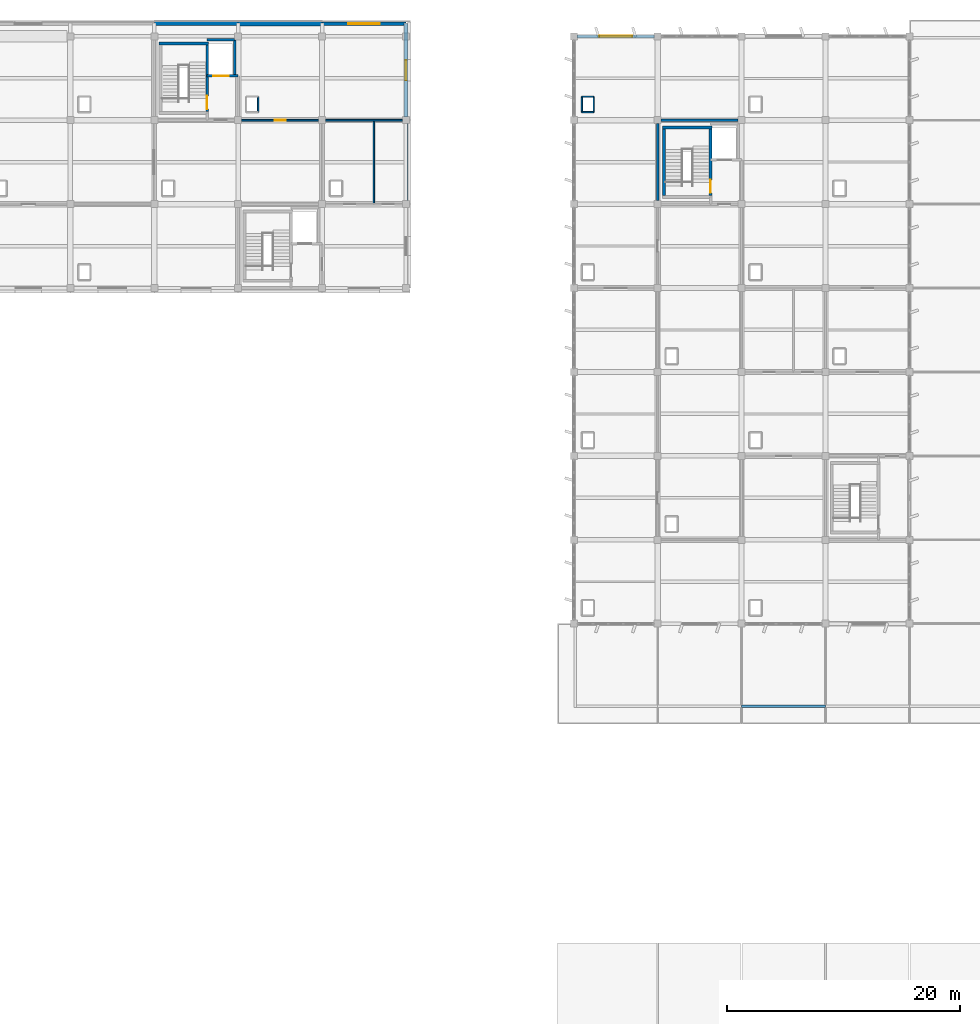
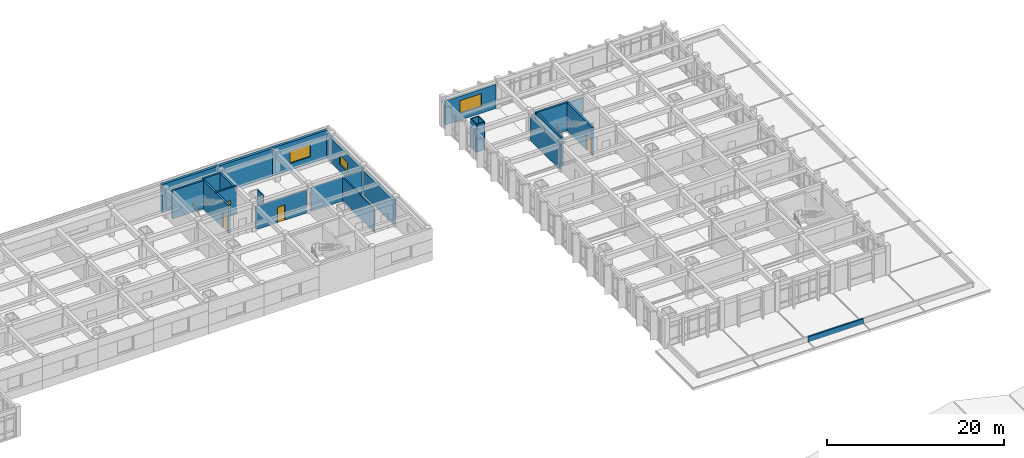
# One storey, part 55 of 62: 25 walls, 4 doors, 3 windows, 7 openings.
"""IFC4 building model written with IfcOpenShell, lengths in metres."""

import ifcopenshell
import ifcopenshell.guid

model = None  # the IFC model being written
_history = None  # IfcOwnerHistory: only IFC2X3 demands one
_inside = {}  # id of a spatial element -> (the spatial element, [elements in it])
_under = {}  # id of a project, library or spatial element -> (it, [spatial elements below it])
_declared = {}  # id of a project -> (the project, [libraries it declares])
_typed = {}  # id of a type object -> (the type object, [elements of that type])
_made_of = {}  # id of a material, layer set ... -> (it, [elements and type objects made of it])


def new_model(schema):
    """Start an empty IFC model of exactly this schema.

    Asked for "IFC4X3", IfcOpenShell would pick the latest addendum, in which some entities
    have other attributes; the version numbers below select the first issue.
    IFC2X3 requires an IfcOwnerHistory on every rooted entity: one is made here for all.
    """
    global model, _history
    if schema == "IFC4X3":
        model = ifcopenshell.file(schema_version=(4, 3, 0, 0))
    else:
        model = ifcopenshell.file(schema=schema)
    _inside.clear()
    _under.clear()
    _declared.clear()
    _typed.clear()
    _made_of.clear()
    _history = None
    if model.schema == "IFC2X3":
        org = make("IfcOrganization", Name="unknown")
        user = make(
            "IfcPersonAndOrganization",
            ThePerson=make("IfcPerson", FamilyName="unknown"),
            TheOrganization=org,
        )
        app = make(
            "IfcApplication",
            ApplicationDeveloper=org,
            Version="unknown",
            ApplicationFullName="unknown",
            ApplicationIdentifier="unknown",
        )
        _history = make(
            "IfcOwnerHistory",
            OwningUser=user,
            OwningApplication=app,
            ChangeAction="ADDED",
            CreationDate=0,
        )
    return model


def make(cls, **values):
    """One entity of the class cls with the attributes given. An attribute that is None is left unset."""
    return model.create_entity(
        cls, **{name: value for name, value in values.items() if value is not None}
    )


def rooted(cls, **values):
    """An entity with a GlobalId (a new one), such as an element, a storey or a relation."""
    return make(cls, GlobalId=ifcopenshell.guid.new(), OwnerHistory=_history, **values)


def si_unit(unit_type, name, prefix=None):
    """IfcSIUnit, for example si_unit("LENGTHUNIT", "METRE", prefix="MILLI")."""
    return make("IfcSIUnit", UnitType=unit_type, Prefix=prefix, Name=name)


def assignment(units):
    """IfcUnitAssignment: the units of a project."""
    return None if units is None else make("IfcUnitAssignment", Units=units)


def point(xyz):
    """IfcCartesianPoint."""
    return None if xyz is None else make("IfcCartesianPoint", Coordinates=xyz)


def direction(xyz):
    """IfcDirection."""
    return None if xyz is None else make("IfcDirection", DirectionRatios=xyz)


def frame(location, z_axis=None, x_axis=None):
    """IfcAxis2Placement3D, a coordinate frame: its origin and axes. An axis left out is left unset."""
    return make(
        "IfcAxis2Placement3D",
        Location=point(location),
        Axis=direction(z_axis),
        RefDirection=direction(x_axis),
    )


def frame_2d(location, x_axis=None):
    """IfcAxis2Placement2D, a coordinate frame in the plane: its origin and x axis."""
    return make(
        "IfcAxis2Placement2D", Location=point(location), RefDirection=direction(x_axis)
    )


def origin():
    """The frame at (0, 0, 0) with its axes left unset."""
    return frame((0.0, 0.0, 0.0))


def place(relative_to, where):
    """IfcLocalPlacement: puts the frame where relative to a parent placement (None: the world)."""
    return make(
        "IfcLocalPlacement", PlacementRelTo=relative_to, RelativePlacement=where
    )


def context(
    kind, dimensions, precision=None, world=None, true_north=None, identifier=None
):
    """IfcGeometricRepresentationContext, for example the 3D "Model" context."""
    return make(
        "IfcGeometricRepresentationContext",
        ContextIdentifier=identifier,
        ContextType=kind,
        CoordinateSpaceDimension=dimensions,
        Precision=precision,
        WorldCoordinateSystem=world,
        TrueNorth=true_north,
    )


def subcontext(parent, identifier, kind, view, scale=None):
    """IfcGeometricRepresentationSubContext, for example "Body" below "Model"."""
    return make(
        "IfcGeometricRepresentationSubContext",
        ContextIdentifier=identifier,
        ContextType=kind,
        ParentContext=parent,
        TargetScale=scale,
        TargetView=view,
    )


def project(units=None, contexts=None):
    """IfcProject with its units and contexts."""
    return rooted(
        "IfcProject",
        Name="project",
        RepresentationContexts=contexts,
        UnitsInContext=assignment(units),
    )


def spatial(cls, under=None, at=None, **own):
    """A site, building, storey or space (cls), placed at a placement, below another one or the project."""
    s = rooted(cls, ObjectPlacement=at, **own)
    if under is not None:
        _under.setdefault(under.id(), (under, []))[1].append(s)
    return s


def profile(cls, at=None, kind="AREA", **sizes):
    """A parametric profile (cls). Its sizes go by their IFC names, for example OverallWidth=200.0."""
    return make(cls, ProfileType=kind, Position=at, **sizes)


def rectangle(**sizes):
    """IfcRectangleProfileDef."""
    return profile("IfcRectangleProfileDef", **sizes)


def extrude(swept, where, along, depth):
    """IfcExtrudedAreaSolid: the profile swept, set in the frame where, extruded along a direction by depth."""
    return make(
        "IfcExtrudedAreaSolid",
        SweptArea=swept,
        Position=where,
        ExtrudedDirection=direction(along),
        Depth=depth,
    )


def shape(context_of_items, identifier, shape_type, items):
    """IfcShapeRepresentation: the items that make up one representation, for example the "Body"."""
    return make(
        "IfcShapeRepresentation",
        ContextOfItems=context_of_items,
        RepresentationIdentifier=identifier,
        RepresentationType=shape_type,
        Items=items,
    )


def material(Name=None, Category=None):
    """IfcMaterial."""
    return make("IfcMaterial", Name=Name, Category=Category)


def layer(
    of_material, thickness, ventilated=None, Name=None, Category=None, Priority=None
):
    """IfcMaterialLayer: one layer of a wall or slab, of a material (None: an air gap)."""
    return make(
        "IfcMaterialLayer",
        Material=of_material,
        LayerThickness=thickness,
        IsVentilated=ventilated,
        Name=Name,
        Category=Category,
        Priority=Priority,
    )


def layer_set(layers, Name=None):
    """IfcMaterialLayerSet."""
    return make("IfcMaterialLayerSet", MaterialLayers=layers, LayerSetName=Name)


def made_of(thing, what):
    """Note that an element or type object is made of a material, layer set ...; save() writes the relation."""
    if what is not None:
        _made_of.setdefault(what.id(), (what, []))[1].append(thing)
    return thing


def type_object(cls, material=None, **own):
    """A type object (cls), such as IfcWallType, which elements share."""
    return made_of(rooted(cls, **own), material)


def element(
    cls,
    number,
    at=None,
    inside=None,
    cuts=None,
    type_object=None,
    material=None,
    context=None,
    identifier="Body",
    shape_type=None,
    held_by="IfcProductDefinitionShape",
    body=None,
    shapes=None,
    **own,
):
    """One element of the class cls, such as IfcWall. Its Tag is "e" and its number.

    at: its placement. inside: the storey or other place that contains it. cuts: it is an
    opening in that element (IfcRelVoidsElement). A single representation is given by context,
    identifier, shape_type and body (its items); several are given by shapes. held_by: the class
    of the entity that holds the representations. save() writes the other relations.
    """
    e = rooted(cls, Tag="e%d" % number, ObjectPlacement=at, **own)
    if body is not None:
        shapes = [shape(context, identifier, shape_type, body)]
    if shapes is not None:
        e.Representation = make(held_by, Representations=shapes)
    if inside is not None:
        _inside.setdefault(inside.id(), (inside, []))[1].append(e)
    if cuts is not None:
        rooted(
            "IfcRelVoidsElement", RelatingBuildingElement=cuts, RelatedOpeningElement=e
        )
    if type_object is not None:
        _typed.setdefault(type_object.id(), (type_object, []))[1].append(e)
    return made_of(e, material)


def fill(opening, filler):
    """IfcRelFillsElement: the door or window that sits in an opening."""
    return rooted(
        "IfcRelFillsElement",
        RelatingOpeningElement=opening,
        RelatedBuildingElement=filler,
    )


def aggregate(whole, parts):
    """IfcRelAggregates: a whole, such as a stair, and the parts it consists of."""
    return rooted("IfcRelAggregates", RelatingObject=whole, RelatedObjects=parts)


def save(model, path):
    """Write the relations noted so far, then the file.

    IfcRelAggregates (storeys below a building ...), IfcRelContainedInSpatialStructure (elements
    in a storey), IfcRelDefinesByType, IfcRelAssociatesMaterial and IfcRelDeclares: one each for
    every whole, place, type object, material and project.
    """
    for whole, parts in _under.values():
        aggregate(whole, parts)
    for where, things in _inside.values():
        rooted(
            "IfcRelContainedInSpatialStructure",
            RelatedElements=things,
            RelatingStructure=where,
        )
    for kind, things in _typed.values():
        rooted("IfcRelDefinesByType", RelatedObjects=things, RelatingType=kind)
    for what, things in _made_of.values():
        rooted("IfcRelAssociatesMaterial", RelatedObjects=things, RelatingMaterial=what)
    for by, libraries in _declared.values():
        rooted("IfcRelDeclares", RelatingContext=by, RelatedDefinitions=libraries)
    model.write(path)


model = new_model("IFC4")

# Units and contexts
model_context = context("Model", 3, precision=1e-05, world=origin(), true_north=direction((0.0, 1.0)))
body_context = subcontext(model_context, "Body", "Model", "MODEL_VIEW")
ifc_project = project(units=[si_unit("LENGTHUNIT", "METRE"), si_unit("AREAUNIT", "SQUARE_METRE"), si_unit("VOLUMEUNIT", "CUBIC_METRE"), si_unit("PLANEANGLEUNIT", "RADIAN"), si_unit("MASSUNIT", "GRAM", prefix="KILO")], contexts=[model_context])

# Site, building, storey
site_placement = place(None, origin())
site = spatial("IfcSite", under=ifc_project, at=site_placement, CompositionType="ELEMENT")
building_placement = place(site_placement, origin())
building = spatial("IfcBuilding", under=site, at=building_placement, Name="Kavelor Marine Aquarium", CompositionType="ELEMENT")
storey_placement = place(building_placement, frame((0.0, 0.0, 13.5)))
storey = spatial("IfcBuildingStorey", under=building, at=storey_placement, Name="L03", CompositionType="ELEMENT", Elevation=13.5)

# Walls
ifc_material_1 = material(Name="Concrete C45/55", Category="concrete")
ifc_layer_1 = layer(ifc_material_1, 0.360107421875)
ifc_layer_set_1 = layer_set([ifc_layer_1], Name="WL-EX1")
wall_type_1 = type_object("IfcWallType", Name="WL-EX1", PredefinedType="STANDARD", material=ifc_layer_set_1)
wall_1_placement = place(storey_placement, frame((89.60009765625, 111.8798828125, 0.0), z_axis=(0.0, 0.0, 1.0), x_axis=(1.0, 0.0, 0.0)))
element("IfcWall", 1, at=wall_1_placement, inside=storey, type_object=wall_type_1, Name="ew:x:L03:12_15", PredefinedType="STANDARD", context=body_context, shape_type="SweptSolid", body=[
    extrude(rectangle(XDim=7.199951171875, YDim=0.360107421875, at=frame_2d((3.60009765625, 0.0))), origin(), (0.0, 0.0, 1.0), 3.85009765625),
])
wall_2_placement = place(storey_placement, frame((104.0, 103.304931640625, 0.0), z_axis=(0.0, 0.0, 1.0), x_axis=(0.0, -1.0, 0.0)))
element("IfcWall", 2, at=wall_2_placement, inside=storey, type_object=wall_type_1, Name="ew:y:L03:14_13", PredefinedType="STANDARD", context=body_context, shape_type="SweptSolid", body=[
    extrude(rectangle(XDim=6.60986328125, YDim=0.360107421875, at=frame_2d((3.304931640625, 0.0))), origin(), (0.0, 0.0, 1.0), 3.320068359375),
])

# Wall, opening, window
ifc_material_2 = material(Name="Concrete C45/55", Category="concrete")
ifc_layer_2 = layer(ifc_material_2, 0.320068359375)
ifc_layer_set_2 = layer_set([ifc_layer_2], Name="WL-EX2")
wall_type_2 = type_object("IfcWallType", Name="WL-EX2", PredefinedType="STANDARD", material=ifc_layer_set_2)
wall_3_placement = place(storey_placement, frame((96.800048828125, 111.8798828125, 0.0), z_axis=(0.0, 0.0, 1.0), x_axis=(1.0, 0.0, 0.0)))
wall_3 = element("IfcWall", 3, at=wall_3_placement, inside=storey, type_object=wall_type_2, Name="ew:x:L03:13_15", PredefinedType="STANDARD", context=body_context, shape_type="SweptSolid", body=[
    extrude(rectangle(XDim=7.199951171875, YDim=0.320068359375, at=frame_2d((3.60009765625, 0.0))), origin(), (0.0, 0.0, 1.0), 3.8701171875),
])
opening_1_placement = place(wall_3_placement, frame((2.25, 0.0, 0.949951171875)))
opening_1 = element("IfcOpeningElement", 4, at=opening_1_placement, cuts=wall_3, Name="Opening W17", PredefinedType="OPENING", context=body_context, shape_type="SweptSolid", body=[
    extrude(rectangle(XDim=2.699951171875, YDim=1.699951171875, at=frame_2d((1.35009765625, 0.85009765625))), frame((0.0, 0.169921875, 0.0), z_axis=(0.0, -1.0, 0.0), x_axis=(1.0, 0.0, 0.0)), (0.0, 0.0, 1.0), 0.340068),
])
ifc_material_3 = material(Name="Anodised Aluminium Frame with Low-E Double Glazing", Category="aluminium")
window_type_1 = type_object("IfcWindowType", Name="WIN-W17", PartitioningType="DOUBLE_PANEL_VERTICAL", PredefinedType="WINDOW", material=ifc_material_3)
window_1_placement = place(opening_1_placement, origin())
window_1 = element("IfcWindow", 5, at=window_1_placement, inside=storey, type_object=window_type_1, Name="win:x:L03:13_15", OverallHeight=1.699951171875, OverallWidth=2.699951171875, PartitioningType="SINGLE_PANEL", PredefinedType="WINDOW", context=body_context, shape_type="SweptSolid", body=[
    extrude(rectangle(XDim=2.699951171875, YDim=1.699951171875, at=frame_2d((1.35009765625, 0.85009765625))), frame((0.0, 0.030029296875, 0.0), z_axis=(0.0, -1.0, 0.0), x_axis=(1.0, 0.0, 0.0)), (0.0, 0.0, 1.0), 0.06005859375),
])
fill(opening_1, window_1)

wall_4_placement = place(storey_placement, frame((104.0, 111.8798828125, 0.0), z_axis=(0.0, 0.0, 1.0), x_axis=(0.0, -1.0, 0.0)))
wall_4 = element("IfcWall", 6, at=wall_4_placement, inside=storey, type_object=wall_type_2, Name="ew:y:L03:14_14", PredefinedType="STANDARD", context=body_context, shape_type="SweptSolid", body=[
    extrude(rectangle(XDim=7.98486328125, YDim=0.320068359375, at=frame_2d((3.992431640625, 0.0))), origin(), (0.0, 0.0, 1.0), 3.320068359375),
])
opening_2_placement = place(wall_4_placement, frame((3.117431640625, 0.0, 0.949951171875)))
opening_2 = element("IfcOpeningElement", 7, at=opening_2_placement, cuts=wall_4, Name="Opening W28", PredefinedType="OPENING", context=body_context, shape_type="SweptSolid", body=[
    extrude(rectangle(XDim=1.75, YDim=1.300048828125, at=frame_2d((0.875, 0.64990234375))), frame((0.0, 0.169921875, 0.0), z_axis=(0.0, -1.0, 0.0), x_axis=(1.0, 0.0, 0.0)), (0.0, 0.0, 1.0), 0.340068),
])
ifc_material_4 = material(Name="Anodised Aluminium Frame with Low-E Double Glazing", Category="aluminium")
window_type_2 = type_object("IfcWindowType", Name="WIN-W28", PartitioningType="SINGLE_PANEL", PredefinedType="WINDOW", material=ifc_material_4)
window_2_placement = place(opening_2_placement, origin())
window_2 = element("IfcWindow", 8, at=window_2_placement, inside=storey, type_object=window_type_2, Name="win:y:L03:14_14", OverallHeight=1.300048828125, OverallWidth=1.75, PartitioningType="SINGLE_PANEL", PredefinedType="WINDOW", context=body_context, shape_type="SweptSolid", body=[
    extrude(rectangle(XDim=1.75, YDim=1.300048828125, at=frame_2d((0.875, 0.64990234375))), frame((0.0, 0.030029296875, 0.0), z_axis=(0.0, -1.0, 0.0), x_axis=(1.0, 0.0, 0.0)), (0.0, 0.0, 1.0), 0.06005859375),
])
fill(opening_2, window_2)

ifc_material_5 = material(Name="Concrete C40/50", Category="concrete")
ifc_layer_3 = layer(ifc_material_5, 0.260009765625)
ifc_layer_set_3 = layer_set([ifc_layer_3], Name="WL-EX5")
wall_type_3 = type_object("IfcWallType", Name="WL-EX5", PredefinedType="STANDARD", material=ifc_layer_set_3)
wall_5_placement = place(storey_placement, frame((118.695068359375, 110.800048828125, 0.0), z_axis=(0.0, 0.0, 1.0), x_axis=(1.0, 0.0, 0.0)))
wall_5 = element("IfcWall", 9, at=wall_5_placement, inside=storey, type_object=wall_type_3, Name="ew:x:L03:16_15", PredefinedType="STANDARD", context=body_context, shape_type="SweptSolid", body=[
    extrude(rectangle(XDim=6.60986328125, YDim=0.260009765625, at=frame_2d((3.304931640625, 0.0))), origin(), (0.0, 0.0, 1.0), 3.300048828125),
])
opening_3_placement = place(wall_5_placement, frame((1.905029296875, 0.0, 0.949951171875)))
opening_3 = element("IfcOpeningElement", 10, at=opening_3_placement, cuts=wall_5, Name="Opening W18", PredefinedType="OPENING", context=body_context, shape_type="SweptSolid", body=[
    extrude(rectangle(XDim=2.800048828125, YDim=1.75, at=frame_2d((1.39990234375, 0.875))), frame((0.0, 0.139892578125, 0.0), z_axis=(0.0, -1.0, 0.0), x_axis=(1.0, 0.0, 0.0)), (0.0, 0.0, 1.0), 0.28001),
])
ifc_material_6 = material(Name="Anodised Aluminium Frame with Low-E Double Glazing", Category="aluminium")
window_type_3 = type_object("IfcWindowType", Name="WIN-W18", PartitioningType="DOUBLE_PANEL_VERTICAL", PredefinedType="WINDOW", material=ifc_material_6)
window_3_placement = place(opening_3_placement, origin())
window_3 = element("IfcWindow", 11, at=window_3_placement, inside=storey, type_object=window_type_3, Name="win:x:L03:16_15", OverallHeight=1.75, OverallWidth=2.800048828125, PartitioningType="SINGLE_PANEL", PredefinedType="WINDOW", context=body_context, shape_type="SweptSolid", body=[
    extrude(rectangle(XDim=2.800048828125, YDim=1.75, at=frame_2d((1.39990234375, 0.875))), frame((0.0, 0.030029296875, 0.0), z_axis=(0.0, -1.0, 0.0), x_axis=(1.0, 0.0, 0.0)), (0.0, 0.0, 1.0), 0.06005859375),
])
fill(opening_3, window_3)

# Walls
ifc_material_7 = material(Name="Concrete C45/55", Category="concrete")
ifc_layer_4 = layer(ifc_material_7, 0.340087890625)
ifc_layer_set_4 = layer_set([ifc_layer_4], Name="WL-EX6")
wall_type_4 = type_object("IfcWallType", Name="WL-EX6", PredefinedType="STANDARD", material=ifc_layer_set_4)
wall_6_placement = place(storey_placement, frame((82.39990234375, 111.8798828125, 0.0), z_axis=(0.0, 0.0, 1.0), x_axis=(1.0, 0.0, 0.0)))
element("IfcWall", 12, at=wall_6_placement, inside=storey, type_object=wall_type_4, Name="ew:x:L03:11_15", PredefinedType="STANDARD", context=body_context, shape_type="SweptSolid", body=[
    extrude(rectangle(XDim=7.2001953125, YDim=0.340087890625, at=frame_2d((3.60009765625, 0.0))), origin(), (0.0, 0.0, 1.0), 3.8701171875),
])
ifc_material_8 = material(Name="Concrete C40/50", Category="concrete")
ifc_layer_5 = layer(ifc_material_8, 0.199951171875)
ifc_layer_set_5 = layer_set([ifc_layer_5], Name="WL-PR3")
wall_type_5 = type_object("IfcWallType", Name="WL-PR3", PredefinedType="PARAPET", material=ifc_layer_set_5)
wall_7_placement = place(storey_placement, frame((132.800048828125, 53.320068359375, 0.0), z_axis=(0.0, 0.0, 1.0), x_axis=(1.0, 0.0, 0.0)))
element("IfcWall", 13, at=wall_7_placement, inside=storey, type_object=wall_type_5, Name="par:s:L03:18_07", PredefinedType="PARAPET", context=body_context, shape_type="SweptSolid", body=[
    extrude(rectangle(XDim=7.199951171875, YDim=0.199951171875, at=frame_2d((3.60009765625, 0.0))), origin(), (0.0, 0.0, 1.0), 0.719970703125),
])
ifc_material_9 = material(Name="Concrete Blockwork Partition", Category="masonry")
ifc_layer_6 = layer(ifc_material_9, 0.199951171875)
ifc_layer_set_6 = layer_set([ifc_layer_6], Name="WL-PT1")
wall_type_6 = type_object("IfcWallType", Name="WL-PT1", PredefinedType="PARTITIONING", material=ifc_layer_set_6)
wall_8_placement = place(storey_placement, frame((125.60009765625, 96.699951171875, 0.0), z_axis=(0.0, 0.0, 1.0), x_axis=(0.0, 1.0, 0.0)))
element("IfcWall", 14, at=wall_8_placement, inside=storey, type_object=wall_type_6, Name="pt:lob:C10:L03:w", PredefinedType="PARTITIONING", context=body_context, shape_type="SweptSolid", body=[
    extrude(rectangle(XDim=6.60009765625, YDim=0.199951171875, at=frame_2d((3.300048828125, 0.0))), origin(), (0.0, 0.0, 1.0), 3.25),
])
wall_9_placement = place(storey_placement, frame((125.89990234375, 103.60009765625, 0.0), z_axis=(0.0, 0.0, 1.0), x_axis=(1.0, 0.0, 0.0)))
element("IfcWall", 15, at=wall_9_placement, inside=storey, type_object=wall_type_6, Name="pt:lob:C10:L03:n_full", PredefinedType="PARTITIONING", context=body_context, shape_type="SweptSolid", body=[
    extrude(rectangle(XDim=6.60009765625, YDim=0.199951171875, at=frame_2d((3.300048828125, 0.0))), origin(), (0.0, 0.0, 1.0), 3.27001953125),
])

# Wall, opening, door
ifc_material_10 = material(Name="Acoustic Gypsum Stud Partition")
ifc_layer_7 = layer(ifc_material_10, 0.159912109375)
ifc_layer_set_7 = layer_set([ifc_layer_7], Name="WL-PT2")
wall_type_7 = type_object("IfcWallType", Name="WL-PT2", PredefinedType="PARTITIONING", material=ifc_layer_set_7)
wall_10_placement = place(storey_placement, frame((89.89990234375, 103.60009765625, 0.0), z_axis=(0.0, 0.0, 1.0), x_axis=(1.0, 0.0, 0.0)))
wall_10 = element("IfcWall", 16, at=wall_10_placement, inside=storey, type_object=wall_type_7, Name="pt:x:L03:12_13", PredefinedType="PARTITIONING", context=body_context, shape_type="SweptSolid", body=[
    extrude(rectangle(XDim=6.60009765625, YDim=0.159912109375, at=frame_2d((3.300048828125, 0.0))), origin(), (0.0, 0.0, 1.0), 3.199951171875),
])
opening_4_placement = place(wall_10_placement, frame((2.820068359375, 0.0, 0.0)))
opening_4 = element("IfcOpeningElement", 17, at=opening_4_placement, cuts=wall_10, Name="Opening D01", PredefinedType="OPENING", context=body_context, shape_type="SweptSolid", body=[
    extrude(rectangle(XDim=0.9599609375, YDim=2.10009765625, at=frame_2d((0.47998046875, 1.050048828125))), frame((0.0, 0.08984375, 0.0), z_axis=(0.0, -1.0, 0.0), x_axis=(1.0, 0.0, 0.0)), (0.0, 0.0, 1.0), 0.179912),
])
ifc_material_11 = material(Name="Solid-Core Acoustic Timber Laboratory Door", Category="wood")
door_type_1 = type_object("IfcDoorType", Name="DR-D01", OperationType="NOTDEFINED", PredefinedType="DOOR", material=ifc_material_11)
door_1_placement = place(opening_4_placement, origin())
door_1 = element("IfcDoor", 18, at=door_1_placement, inside=storey, type_object=door_type_1, Name="dr:rm:pt:x:L03:12_13:0", OperationType="SINGLE_SWING_RIGHT", OverallHeight=2.10009765625, OverallWidth=0.9599609375, PredefinedType="DOOR", context=body_context, shape_type="SweptSolid", body=[
    extrude(rectangle(XDim=0.9599609375, YDim=2.10009765625, at=frame_2d((0.47998046875, 1.050048828125))), frame((0.0, 0.02490234375, 0.0), z_axis=(0.0, -1.0, 0.0), x_axis=(1.0, 0.0, 0.0)), (0.0, 0.0, 1.0), 0.050048828125),
])
fill(opening_4, door_1)

# Walls
ifc_material_12 = material(Name="Moisture-Resistant Marine Partition")
ifc_layer_8 = layer(ifc_material_12, 0.139892578125)
ifc_layer_set_8 = layer_set([ifc_layer_8], Name="WL-PT3")
wall_type_8 = type_object("IfcWallType", Name="WL-PT3", PredefinedType="PARTITIONING", material=ifc_layer_set_8)
wall_11_placement = place(storey_placement, frame((101.25, 96.39990234375, 0.0), z_axis=(0.0, 0.0, 1.0), x_axis=(0.0, 1.0, 0.0)))
element("IfcWall", 19, at=wall_11_placement, inside=storey, type_object=wall_type_8, Name="pt:san:div:L03:13_13", PredefinedType="PARTITIONING", context=body_context, shape_type="SweptSolid", body=[
    extrude(rectangle(XDim=7.2001953125, YDim=0.139892578125, at=frame_2d((3.60009765625, 0.0))), origin(), (0.0, 0.0, 1.0), 3.300048828125),
])
wall_12_placement = place(storey_placement, frame((97.10009765625, 103.60009765625, 0.0), z_axis=(0.0, 0.0, 1.0), x_axis=(1.0, 0.0, 0.0)))
element("IfcWall", 20, at=wall_12_placement, inside=storey, type_object=wall_type_8, Name="pt:san:enc_n:L03:13_13", PredefinedType="PARTITIONING", context=body_context, shape_type="SweptSolid", body=[
    extrude(rectangle(XDim=6.599853515625, YDim=0.139892578125, at=frame_2d((3.2998046875, 0.0))), origin(), (0.0, 0.0, 1.0), 3.27001953125),
])
ifc_material_13 = material(Name="Lightweight Drywall Partition")
ifc_layer_9 = layer(ifc_material_13, 0.1201171875)
ifc_layer_set_9 = layer_set([ifc_layer_9], Name="WL-PT4")
wall_type_9 = type_object("IfcWallType", Name="WL-PT4", PredefinedType="PARTITIONING", material=ifc_layer_set_9)
wall_13_placement = place(storey_placement, frame((91.31005859375, 104.2900390625, 0.0), z_axis=(0.0, 0.0, 1.0), x_axis=(0.0, 1.0, 0.0)))
element("IfcWall", 21, at=wall_13_placement, inside=storey, type_object=wall_type_9, Name="riser:e:L03:12_14", PredefinedType="PARTITIONING", context=body_context, shape_type="SweptSolid", body=[
    extrude(rectangle(XDim=1.320068359375, YDim=0.1201171875, at=frame_2d((0.66015625, 0.0))), origin(), (0.0, 0.0, 1.0), 3.840087890625),
])
for number, where, z_axis, x_axis, name in (
    (22, (119.090087890625, 104.2900390625, 0.0), (0.0, 0.0, 1.0), (1.0, 0.0, 0.0), "riser:s:L03:16_14"),
    (23, (119.090087890625, 105.610107421875, 0.0), (0.0, 0.0, 1.0), (1.0, 0.0, 0.0), "riser:n:L03:16_14"),
):
    element("IfcWall", number, at=place(storey_placement, frame(where, z_axis=z_axis, x_axis=x_axis)), inside=storey, type_object=wall_type_9, Name=name, PredefinedType="PARTITIONING", context=body_context, shape_type="SweptSolid", body=[
        extrude(rectangle(XDim=1.02001953125, YDim=0.1201171875, at=frame_2d((0.510009765625, 0.0))), origin(), (0.0, 0.0, 1.0), 3.840087890625),
    ])
for number, where, z_axis, x_axis, name in (
    (24, (119.090087890625, 104.2900390625, 0.0), (0.0, 0.0, 1.0), (0.0, 1.0, 0.0), "riser:w:L03:16_14"),
    (25, (120.110107421875, 104.2900390625, 0.0), (0.0, 0.0, 1.0), (0.0, 1.0, 0.0), "riser:e:L03:16_14"),
):
    element("IfcWall", number, at=place(storey_placement, frame(where, z_axis=z_axis, x_axis=x_axis)), inside=storey, type_object=wall_type_9, Name=name, PredefinedType="PARTITIONING", context=body_context, shape_type="SweptSolid", body=[
        extrude(rectangle(XDim=1.320068359375, YDim=0.1201171875, at=frame_2d((0.66015625, 0.0))), origin(), (0.0, 0.0, 1.0), 3.840087890625),
    ])
ifc_material_14 = material(Name="Concrete C40/50", Category="concrete")
ifc_layer_10 = layer(ifc_material_14, 0.35009765625)
ifc_layer_set_10 = layer_set([ifc_layer_10], Name="WL-SW2")
wall_type_10 = type_object("IfcWallType", Name="WL-SW2", PredefinedType="SHEAR", material=ifc_layer_set_10)
wall_14_placement = place(storey_placement, frame((82.820068359375, 110.179931640625, 0.0), z_axis=(0.0, 0.0, 1.0), x_axis=(1.0, 0.0, 0.0)))
element("IfcWall", 26, at=wall_14_placement, inside=storey, type_object=wall_type_10, Name="cw_st:n:C06:L03", PredefinedType="SHEAR", context=body_context, shape_type="SweptSolid", body=[
    extrude(rectangle(XDim=4.239990234375, YDim=0.239990234375, at=frame_2d((2.1201171875, 0.0))), origin(), (0.0, 0.0, 1.0), 3.8798828125),
])

# Wall, opening, door
wall_15_placement = place(storey_placement, frame((86.93994140625, 104.340087890625, 0.0), z_axis=(0.0, 0.0, 1.0), x_axis=(0.0, 1.0, 0.0)))
wall_15 = element("IfcWall", 27, at=wall_15_placement, inside=storey, type_object=wall_type_10, Name="cw_st:e:C06:L03", PredefinedType="SHEAR", context=body_context, shape_type="SweptSolid", body=[
    extrude(rectangle(XDim=5.719970703125, YDim=0.239990234375, at=frame_2d((2.85986328125, 0.0))), origin(), (0.0, 0.0, 1.0), 3.8798828125),
])
opening_5_placement = place(wall_15_placement, frame((0.219970703125, 0.0, 0.0)))
opening_5 = element("IfcOpeningElement", 28, at=opening_5_placement, cuts=wall_15, Name="Opening FD1", PredefinedType="OPENING", context=body_context, shape_type="SweptSolid", body=[
    extrude(rectangle(XDim=1.1201171875, YDim=2.14990234375, at=frame_2d((0.56005859375, 1.074951171875))), frame((0.0, 0.1298828125, 0.0), z_axis=(0.0, -1.0, 0.0), x_axis=(1.0, 0.0, 0.0)), (0.0, 0.0, 1.0), 0.25999),
])
ifc_material_15 = material(Name="Fire-Rated Steel Stair and Core Door", Category="steel")
door_type_2 = type_object("IfcDoorType", Name="DR-FD1", OperationType="NOTDEFINED", PredefinedType="DOOR", material=ifc_material_15)
door_2_placement = place(opening_5_placement, origin())
door_2 = element("IfcDoor", 29, at=door_2_placement, inside=storey, type_object=door_type_2, Name="Stair Fire Door ST06-L03", OperationType="SINGLE_SWING_LEFT", OverallHeight=2.14990234375, OverallWidth=1.1201171875, PredefinedType="DOOR", context=body_context, shape_type="SweptSolid", body=[
    extrude(rectangle(XDim=1.1201171875, YDim=2.14990234375, at=frame_2d((0.56005859375, 1.074951171875))), frame((0.0, 0.02490234375, 0.0), z_axis=(0.0, -1.0, 0.0), x_axis=(1.0, 0.0, 0.0)), (0.0, 0.0, 1.0), 0.050048828125),
])
fill(opening_5, door_2)

wall_16_placement = place(storey_placement, frame((86.93994140625, 107.39990234375, 0.0), z_axis=(0.0, 0.0, 1.0), x_axis=(1.0, 0.0, 0.0)))
wall_16 = element("IfcWall", 30, at=wall_16_placement, inside=storey, type_object=wall_type_10, Name="cw_lf:s:C06:L03", PredefinedType="SHEAR", context=body_context, shape_type="SweptSolid", body=[
    extrude(rectangle(XDim=2.66015625, YDim=0.219970703125, at=frame_2d((1.330078125, 0.0))), origin(), (0.0, 0.0, 1.0), 3.8798828125),
])
opening_6_placement = place(wall_16_placement, frame((0.510009765625, 0.0, 0.0)))
opening_6 = element("IfcOpeningElement", 31, at=opening_6_placement, cuts=wall_16, Name="Opening LD2", PredefinedType="OPENING", context=body_context, shape_type="SweptSolid", body=[
    extrude(rectangle(XDim=1.340087890625, YDim=2.14990234375, at=frame_2d((0.669921875, 1.074951171875))), frame((0.0, 0.119873046875, 0.0), z_axis=(0.0, -1.0, 0.0), x_axis=(1.0, 0.0, 0.0)), (0.0, 0.0, 1.0), 0.239971),
])
ifc_material_16 = material(Name="Stainless Steel Goods and Stretcher Lift Sliding Door", Category="steel")
door_type_3 = type_object("IfcDoorType", Name="DR-LD2", OperationType="NOTDEFINED", PredefinedType="DOOR", material=ifc_material_16)
door_3_placement = place(opening_6_placement, origin())
door_3 = element("IfcDoor", 32, at=door_3_placement, inside=storey, type_object=door_type_3, Name="Lift Landing Sliding Door FL1-L03", OperationType="DOUBLE_DOOR_SLIDING", OverallHeight=2.14990234375, OverallWidth=1.340087890625, PredefinedType="DOOR", context=body_context, shape_type="SweptSolid", body=[
    extrude(rectangle(XDim=1.340087890625, YDim=2.14990234375, at=frame_2d((0.669921875, 1.074951171875))), frame((0.0, 0.02490234375, 0.0), z_axis=(0.0, -1.0, 0.0), x_axis=(1.0, 0.0, 0.0)), (0.0, 0.0, 1.0), 0.050048828125),
])
fill(opening_6, door_3)

# Walls
wall_17_placement = place(storey_placement, frame((86.93994140625, 110.5, 0.0), z_axis=(0.0, 0.0, 1.0), x_axis=(1.0, 0.0, 0.0)))
element("IfcWall", 33, at=wall_17_placement, inside=storey, type_object=wall_type_10, Name="cw_lf:n:C06:L03", PredefinedType="SHEAR", context=body_context, shape_type="SweptSolid", body=[
    extrude(rectangle(XDim=2.360107421875, YDim=0.219970703125, at=frame_2d((1.18017578125, 0.0))), origin(), (0.0, 0.0, 1.0), 3.8798828125),
])
wall_18_placement = place(storey_placement, frame((89.300048828125, 107.39990234375, 0.0), z_axis=(0.0, 0.0, 1.0), x_axis=(0.0, 1.0, 0.0)))
element("IfcWall", 34, at=wall_18_placement, inside=storey, type_object=wall_type_10, Name="cw_lf:e:C06:L03", PredefinedType="SHEAR", context=body_context, shape_type="SweptSolid", body=[
    extrude(rectangle(XDim=3.10009765625, YDim=0.219970703125, at=frame_2d((1.550048828125, 0.0))), origin(), (0.0, 0.0, 1.0), 3.8798828125),
])
wall_19_placement = place(storey_placement, frame((126.02001953125, 102.97998046875, 0.0), z_axis=(0.0, 0.0, 1.0), x_axis=(1.0, 0.0, 0.0)))
element("IfcWall", 35, at=wall_19_placement, inside=storey, type_object=wall_type_10, Name="cw_st:n:C10:L03", PredefinedType="SHEAR", context=body_context, shape_type="SweptSolid", body=[
    extrude(rectangle(XDim=4.239990234375, YDim=0.239990234375, at=frame_2d((2.1201171875, 0.0))), origin(), (0.0, 0.0, 1.0), 3.8798828125),
])
wall_20_placement = place(storey_placement, frame((126.139892578125, 97.139892578125, 0.0), z_axis=(0.0, 0.0, 1.0), x_axis=(0.0, 1.0, 0.0)))
element("IfcWall", 36, at=wall_20_placement, inside=storey, type_object=wall_type_10, Name="cw_st:w:C10:L03", PredefinedType="SHEAR", context=body_context, shape_type="SweptSolid", body=[
    extrude(rectangle(XDim=5.72021484375, YDim=0.239990234375, at=frame_2d((2.860107421875, 0.0))), origin(), (0.0, 0.0, 1.0), 3.8798828125),
])

# Wall, opening, door
wall_21_placement = place(storey_placement, frame((130.139892578125, 97.139892578125, 0.0), z_axis=(0.0, 0.0, 1.0), x_axis=(0.0, 1.0, 0.0)))
wall_21 = element("IfcWall", 37, at=wall_21_placement, inside=storey, type_object=wall_type_10, Name="cw_st:e:C10:L03", PredefinedType="SHEAR", context=body_context, shape_type="SweptSolid", body=[
    extrude(rectangle(XDim=5.72021484375, YDim=0.239990234375, at=frame_2d((2.860107421875, 0.0))), origin(), (0.0, 0.0, 1.0), 3.8798828125),
])
opening_7_placement = place(wall_21_placement, frame((0.219970703125, 0.0, 0.0)))
opening_7 = element("IfcOpeningElement", 38, at=opening_7_placement, cuts=wall_21, Name="Opening FD1", PredefinedType="OPENING", context=body_context, shape_type="SweptSolid", body=[
    extrude(rectangle(XDim=1.1201171875, YDim=2.14990234375, at=frame_2d((0.56005859375, 1.074951171875))), frame((0.0, 0.1298828125, 0.0), z_axis=(0.0, -1.0, 0.0), x_axis=(1.0, 0.0, 0.0)), (0.0, 0.0, 1.0), 0.25999),
])
door_4_placement = place(opening_7_placement, origin())
door_4 = element("IfcDoor", 39, at=door_4_placement, inside=storey, type_object=door_type_2, Name="Stair Fire Door ST10-L03", OperationType="SINGLE_SWING_LEFT", OverallHeight=2.14990234375, OverallWidth=1.1201171875, PredefinedType="DOOR", context=body_context, shape_type="SweptSolid", body=[
    extrude(rectangle(XDim=1.1201171875, YDim=2.14990234375, at=frame_2d((0.56005859375, 1.074951171875))), frame((0.0, 0.02490234375, 0.0), z_axis=(0.0, -1.0, 0.0), x_axis=(1.0, 0.0, 0.0)), (0.0, 0.0, 1.0), 0.050048828125),
])
fill(opening_7, door_4)

save(model, "model.ifc")
